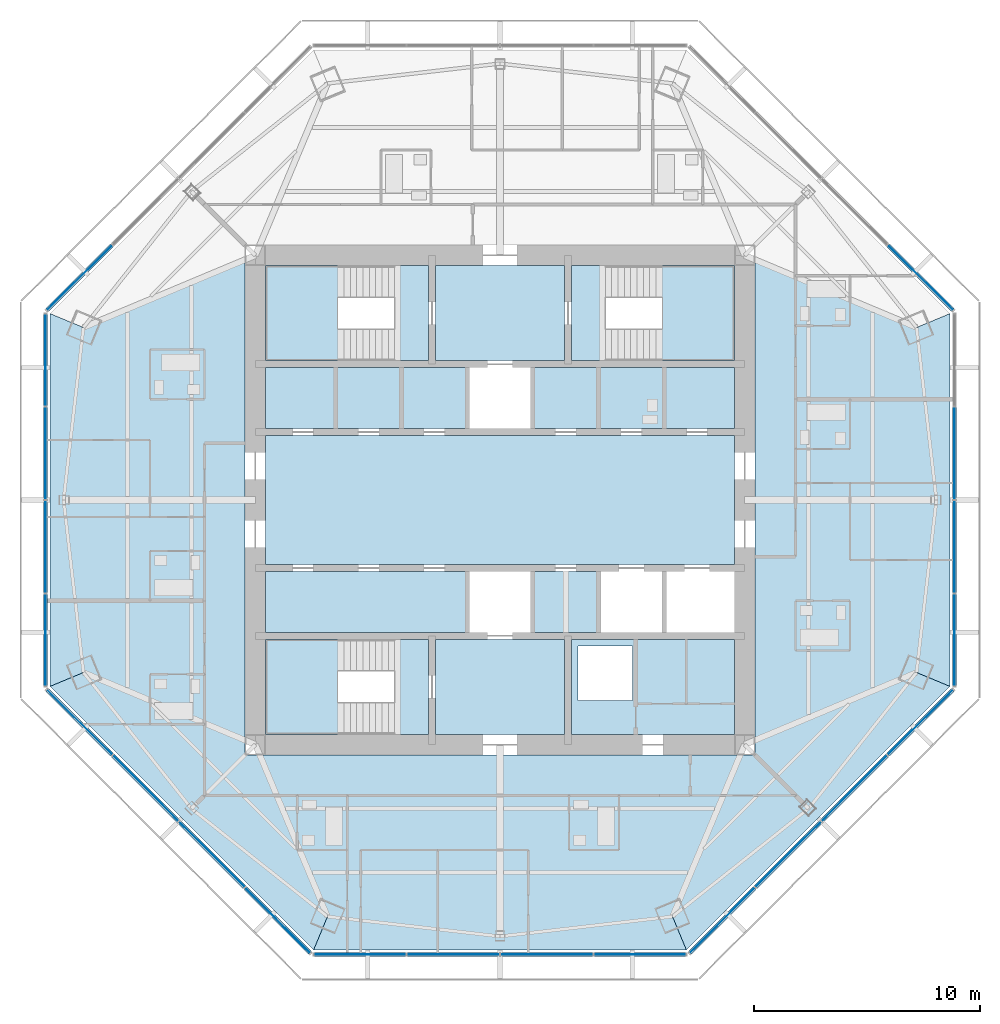
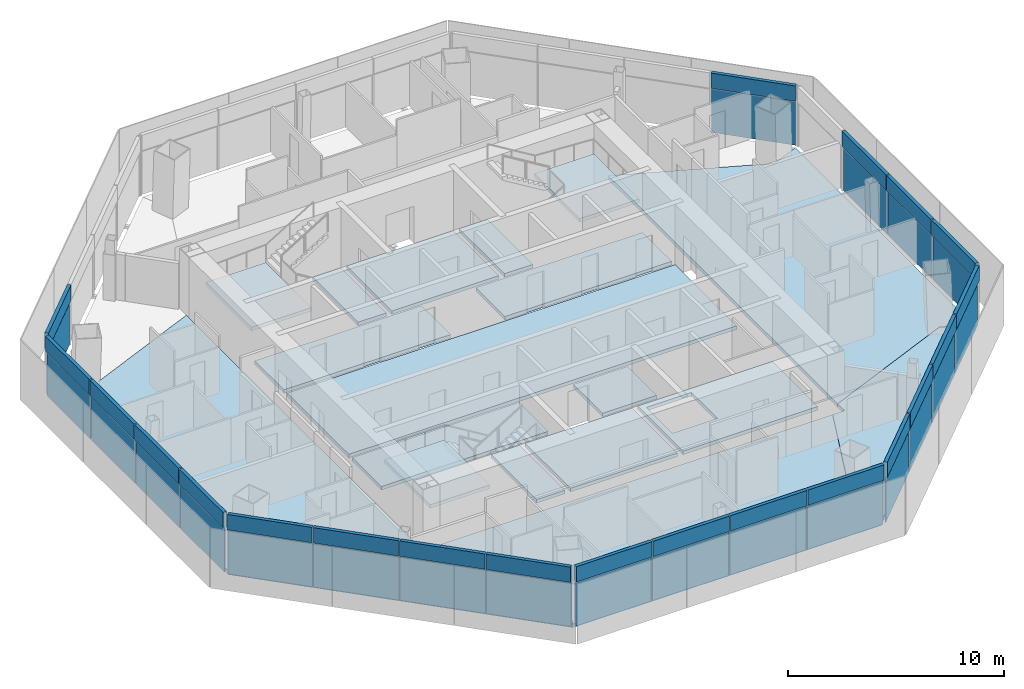
# One storey, part 8 of 15: 42 plates, 19 slabs, 10 elements without a shape of their own.
"""IFC4 building model written with IfcOpenShell, lengths in metres."""

from ifc_helpers import new_model, si_unit, direction, frame, origin, origin_2d, place, context, subcontext, project, spatial, polyline, rectangle, outline, extrude, source, transform, mapped, material, layer, layer_set, type_object, type_shapes, element, aggregate, save


model = new_model("IFC4")

# Units and contexts
model_context = context("Model", 3, precision=1e-05, world=origin(), true_north=direction((0.0, 1.0)))
body_context = subcontext(model_context, "Body", "Model", "MODEL_VIEW")
ifc_project = project(units=[si_unit("LENGTHUNIT", "METRE"), si_unit("AREAUNIT", "SQUARE_METRE"), si_unit("VOLUMEUNIT", "CUBIC_METRE"), si_unit("PLANEANGLEUNIT", "RADIAN"), si_unit("MASSUNIT", "GRAM", prefix="KILO")], contexts=[model_context])

# Site, building, storey
site_placement = place(None, origin())
site = spatial("IfcSite", under=ifc_project, at=site_placement, CompositionType="ELEMENT")
building_placement = place(site_placement, origin())
building = spatial("IfcBuilding", under=site, at=building_placement, Name="Mashrafa Tower", CompositionType="ELEMENT")
storey_placement = place(building_placement, frame((0.0, 0.0, 281.0)))
storey = spatial("IfcBuildingStorey", under=building, at=storey_placement, Name="L68", CompositionType="ELEMENT", Elevation=281.0)

# Slabs
ifc_material_1 = material(Name="Concrete C35/45", Category="concrete")
ifc_layer_1 = layer(ifc_material_1, 0.199951171875)
ifc_layer_set_1 = layer_set([ifc_layer_1], Name="Floor slab 200")
slab_type_1 = type_object("IfcSlabType", Name="Floor slab 200", PredefinedType="FLOOR", material=ifc_layer_set_1)
slab_1_placement = place(storey_placement, frame((0.0, 0.0, -0.199951171875)))
element("IfcSlab", 1, at=slab_1_placement, inside=storey, type_object=slab_type_1, Name="Floor slab L68 east bay", PredefinedType="FLOOR", context=body_context, shape_type="SweptSolid", body=[
    extrude(outline(polyline([(19.86572265625, 8.228515625), (19.86572265625, -8.228515625), (19.86572265625, -8.228515625), (18.39306640625, -7.61865234375), (11.25, -10.611572265625), (11.25, 10.611572265625), (18.39306640625, 7.61865234375), (19.86572265625, 8.228515625), (19.86572265625, 8.228515625)])), origin(), (0.0, 0.0, 1.0), 0.199951171875),
])
slab_2_placement = place(storey_placement, frame((0.0, 0.0, -0.199951171875)))
element("IfcSlab", 2, at=slab_2_placement, inside=storey, type_object=slab_type_1, Name="Floor slab L68 west bay", PredefinedType="FLOOR", context=body_context, shape_type="SweptSolid", body=[
    extrude(outline(polyline([(-19.86572265625, -8.228515625), (-19.86572265625, 8.228515625), (-19.86572265625, 8.228515625), (-18.39306640625, 7.61865234375), (-11.25, 10.611572265625), (-11.25, -10.611572265625), (-18.39306640625, -7.61865234375), (-19.86572265625, -8.228515625), (-19.86572265625, -8.228515625)])), origin(), (0.0, 0.0, 1.0), 0.199951171875),
])
slab_3_placement = place(storey_placement, frame((0.0, 0.0, -0.199951171875)))
element("IfcSlab", 3, at=slab_3_placement, inside=storey, type_object=slab_type_1, Name="Floor slab L68 south-west bay", PredefinedType="FLOOR", context=body_context, shape_type="SweptSolid", body=[
    extrude(outline(polyline([(-19.86572265625, -8.228515625), (-18.39306640625, -7.61865234375), (-11.25, -10.611572265625), (-11.25, -11.25), (-10.611572265625, -11.25), (-7.61865234375, -18.39306640625), (-8.228515625, -19.86572265625), (-19.86572265625, -8.228515625)])), origin(), (0.0, 0.0, 1.0), 0.199951171875),
])
slab_4_placement = place(storey_placement, frame((0.0, 0.0, -0.199951171875)))
element("IfcSlab", 4, at=slab_4_placement, inside=storey, type_object=slab_type_1, Name="Floor slab L68 south bay", PredefinedType="FLOOR", context=body_context, shape_type="SweptSolid", body=[
    extrude(outline(polyline([(-8.228515625, -19.86572265625), (-8.228515625, -19.86572265625), (-7.61865234375, -18.39306640625), (-10.611572265625, -11.25), (10.611572265625, -11.25), (7.61865234375, -18.39306640625), (8.228515625, -19.86572265625), (8.228515625, -19.86572265625), (-8.228515625, -19.86572265625)])), origin(), (0.0, 0.0, 1.0), 0.199951171875),
])
slab_5_placement = place(storey_placement, frame((0.0, 0.0, -0.199951171875)))
element("IfcSlab", 5, at=slab_5_placement, inside=storey, type_object=slab_type_1, Name="Floor slab L68 south-east bay", PredefinedType="FLOOR", context=body_context, shape_type="SweptSolid", body=[
    extrude(outline(polyline([(8.228515625, -19.86572265625), (7.61865234375, -18.39306640625), (10.611572265625, -11.25), (11.25, -11.25), (11.25, -10.611572265625), (18.39306640625, -7.61865234375), (19.86572265625, -8.228515625), (8.228515625, -19.86572265625)])), origin(), (0.0, 0.0, 1.0), 0.199951171875),
])
slab_6_placement = place(storey_placement, frame((0.0, 0.0, -0.199951171875)))
element("IfcSlab", 6, at=slab_6_placement, inside=storey, type_object=slab_type_1, Name="Core floor lift hall L68", PredefinedType="FLOOR", context=body_context, shape_type="SweptSolid", body=[
    extrude(outline(polyline([(-10.35009765625, 2.85009765625), (10.35009765625, 2.85009765625), (10.35009765625, -2.85009765625), (-10.35009765625, -2.85009765625), (-10.35009765625, 2.85009765625)])), origin(), (0.0, 0.0, 1.0), 0.199951171875),
])
slab_7_placement = place(storey_placement, frame((0.0, 0.0, -0.199951171875)))
element("IfcSlab", 7, at=slab_7_placement, inside=storey, type_object=slab_type_1, Name="Core floor riser and electrical band L68", PredefinedType="FLOOR", context=body_context, shape_type="SweptSolid", body=[
    extrude(outline(polyline([(10.35009765625, -6.14990234375), (10.35009765625, -10.35009765625), (3.14990234375, -10.35009765625), (3.14990234375, -6.14990234375), (10.35009765625, -6.14990234375)]), holes=[polyline([(3.449951171875, -8.85009765625), (5.85009765625, -8.85009765625), (5.85009765625, -6.449951171875), (3.449951171875, -6.449951171875), (3.449951171875, -8.85009765625)])]), origin(), (0.0, 0.0, 1.0), 0.199951171875),
])
slab_8_placement = place(storey_placement, frame((0.0, 0.0, -0.199951171875)))
element("IfcSlab", 8, at=slab_8_placement, inside=storey, type_object=slab_type_1, Name="Core floor lift cell L68", PredefinedType="FLOOR", context=body_context, shape_type="SweptSolid", body=[
    extrude(outline(polyline([(10.35009765625, 5.85009765625), (10.35009765625, 3.14990234375), (1.449951171875, 3.14990234375), (1.449951171875, 5.85009765625), (10.35009765625, 5.85009765625)])), origin(), (0.0, 0.0, 1.0), 0.199951171875),
])
slab_9_placement = place(storey_placement, frame((0.0, 0.0, -0.199951171875)))
element("IfcSlab", 9, at=slab_9_placement, inside=storey, type_object=slab_type_1, Name="Core floor lift cell L68", PredefinedType="FLOOR", context=body_context, shape_type="SweptSolid", body=[
    extrude(outline(polyline([(-1.449951171875, 3.14990234375), (-10.35009765625, 3.14990234375), (-10.35009765625, 5.85009765625), (-1.449951171875, 5.85009765625), (-1.449951171875, 3.14990234375)])), origin(), (0.0, 0.0, 1.0), 0.199951171875),
])
slab_10_placement = place(storey_placement, frame((0.0, 0.0, -0.199951171875)))
element("IfcSlab", 10, at=slab_10_placement, inside=storey, type_object=slab_type_1, Name="Core floor lift cell L68", PredefinedType="FLOOR", context=body_context, shape_type="SweptSolid", body=[
    extrude(outline(polyline([(-1.449951171875, -3.14990234375), (-1.449951171875, -5.85009765625), (-10.35009765625, -5.85009765625), (-10.35009765625, -3.14990234375), (-1.449951171875, -3.14990234375)])), origin(), (0.0, 0.0, 1.0), 0.199951171875),
])
slab_11_placement = place(storey_placement, frame((0.0, 0.0, -0.199951171875)))
element("IfcSlab", 11, at=slab_11_placement, inside=storey, type_object=slab_type_1, Name="Core floor fire-fighting lobby south L68", PredefinedType="FLOOR", context=body_context, shape_type="SweptSolid", body=[
    extrude(outline(polyline([(2.85009765625, -6.14990234375), (2.85009765625, -10.35009765625), (-2.85009765625, -10.35009765625), (-2.85009765625, -6.14990234375), (2.85009765625, -6.14990234375)])), origin(), (0.0, 0.0, 1.0), 0.199951171875),
])
slab_12_placement = place(storey_placement, frame((0.0, 0.0, -0.199951171875)))
element("IfcSlab", 12, at=slab_12_placement, inside=storey, type_object=slab_type_1, Name="Core floor fire-fighting lobby north L68", PredefinedType="FLOOR", context=body_context, shape_type="SweptSolid", body=[
    extrude(outline(polyline([(-2.85009765625, 10.35009765625), (2.85009765625, 10.35009765625), (2.85009765625, 6.14990234375), (-2.85009765625, 6.14990234375), (-2.85009765625, 10.35009765625)])), origin(), (0.0, 0.0, 1.0), 0.199951171875),
])
slab_13_placement = place(storey_placement, frame((0.0, 0.0, -0.199951171875)))
element("IfcSlab", 13, at=slab_13_placement, inside=storey, type_object=slab_type_1, Name="Core floor lift cell L68", PredefinedType="FLOOR", context=body_context, shape_type="SweptSolid", body=[
    extrude(outline(polyline([(4.35009765625, -3.14990234375), (4.35009765625, -5.85009765625), (1.449951171875, -5.85009765625), (1.449951171875, -3.14990234375), (4.35009765625, -3.14990234375)])), origin(), (0.0, 0.0, 1.0), 0.199951171875),
])

# Stair, slabs
ifc_material_2 = material(Name="Exit stair 1400")
stair_type = type_object("IfcStairType", Name="Exit stair 1400", PredefinedType="HALF_TURN_STAIR", material=ifc_material_2)
stair_1_placement = place(storey_placement, origin())
stair_1 = element("IfcStair", 14, at=stair_1_placement, inside=storey, type_object=stair_type, Name="Stair S1 L68", PredefinedType="HALF_TURN_STAIR")
ifc_material_3 = material(Name="Concrete C32/40", Category="concrete")
ifc_layer_2 = layer(ifc_material_3, 0.199951171875)
ifc_layer_set_2 = layer_set([ifc_layer_2], Name="Stair landing 200")
slab_type_2 = type_object("IfcSlabType", Name="Stair landing 200", PredefinedType="LANDING", material=ifc_layer_set_2)
slab_14_placement = place(storey_placement, frame((0.0, 0.0, -0.199951171875)))
slab_14 = element("IfcSlab", 15, at=slab_14_placement, type_object=slab_type_2, Name="S1 landing 1", PredefinedType="LANDING", context=body_context, shape_type="SweptSolid", body=[
    extrude(outline(polyline([(-4.659912109375, 6.14990234375), (-3.14990234375, 6.14990234375), (-3.14990234375, 10.35009765625), (-4.659912109375, 10.35009765625), (-4.659912109375, 6.14990234375)])), origin(), (0.0, 0.0, 1.0), 0.199951171875),
])
slab_15_placement = place(storey_placement, frame((0.0, 0.0, 1.5)))
slab_15 = element("IfcSlab", 16, at=slab_15_placement, type_object=slab_type_2, Name="S1 landing 2", PredefinedType="LANDING", context=body_context, shape_type="SweptSolid", body=[
    extrude(outline(polyline([(-10.35009765625, 6.14990234375), (-7.159912109375, 6.14990234375), (-7.159912109375, 10.35009765625), (-10.35009765625, 10.35009765625), (-10.35009765625, 6.14990234375)])), origin(), (0.0, 0.0, 1.0), 0.199951171875),
])
aggregate(stair_1, [slab_14, slab_15])

stair_2_placement = place(storey_placement, origin())
stair_2 = element("IfcStair", 17, at=stair_2_placement, inside=storey, type_object=stair_type, Name="Stair S2 L68", PredefinedType="HALF_TURN_STAIR")
slab_16_placement = place(storey_placement, frame((0.0, 0.0, -0.199951171875)))
slab_16 = element("IfcSlab", 18, at=slab_16_placement, type_object=slab_type_2, Name="S2 landing 1", PredefinedType="LANDING", context=body_context, shape_type="SweptSolid", body=[
    extrude(outline(polyline([(3.14990234375, 6.14990234375), (4.659912109375, 6.14990234375), (4.659912109375, 10.35009765625), (3.14990234375, 10.35009765625), (3.14990234375, 6.14990234375)])), origin(), (0.0, 0.0, 1.0), 0.199951171875),
])
slab_17_placement = place(storey_placement, frame((0.0, 0.0, 1.5)))
slab_17 = element("IfcSlab", 19, at=slab_17_placement, type_object=slab_type_2, Name="S2 landing 2", PredefinedType="LANDING", context=body_context, shape_type="SweptSolid", body=[
    extrude(outline(polyline([(7.159912109375, 6.14990234375), (10.35009765625, 6.14990234375), (10.35009765625, 10.35009765625), (7.159912109375, 10.35009765625), (7.159912109375, 6.14990234375)])), origin(), (0.0, 0.0, 1.0), 0.199951171875),
])
aggregate(stair_2, [slab_16, slab_17])

stair_3_placement = place(storey_placement, origin())
stair_3 = element("IfcStair", 20, at=stair_3_placement, inside=storey, type_object=stair_type, Name="Stair S3 L68", PredefinedType="HALF_TURN_STAIR")
slab_18_placement = place(storey_placement, frame((0.0, 0.0, -0.199951171875)))
slab_18 = element("IfcSlab", 21, at=slab_18_placement, type_object=slab_type_2, Name="S3 landing 1", PredefinedType="LANDING", context=body_context, shape_type="SweptSolid", body=[
    extrude(outline(polyline([(-4.659912109375, -10.35009765625), (-3.14990234375, -10.35009765625), (-3.14990234375, -6.14990234375), (-4.659912109375, -6.14990234375), (-4.659912109375, -10.35009765625)])), origin(), (0.0, 0.0, 1.0), 0.199951171875),
])
slab_19_placement = place(storey_placement, frame((0.0, 0.0, 1.5)))
slab_19 = element("IfcSlab", 22, at=slab_19_placement, type_object=slab_type_2, Name="S3 landing 2", PredefinedType="LANDING", context=body_context, shape_type="SweptSolid", body=[
    extrude(outline(polyline([(-10.35009765625, -10.35009765625), (-7.159912109375, -10.35009765625), (-7.159912109375, -6.14990234375), (-10.35009765625, -6.14990234375), (-10.35009765625, -10.35009765625)])), origin(), (0.0, 0.0, 1.0), 0.199951171875),
])
aggregate(stair_3, [slab_18, slab_19])

# Curtain wall, plate
ifc_material_4 = material(Name="Unitised aluminium curtain wall", Category="aluminium")
curtain_wall_type = type_object("IfcCurtainWallType", Name="Apartment curtain wall, zone 4 CW-D 160 deep", PredefinedType="NOTDEFINED", material=ifc_material_4)
curtain_wall_1_placement = place(storey_placement, origin())
curtain_wall_1 = element("IfcCurtainWall", 23, at=curtain_wall_1_placement, inside=storey, type_object=curtain_wall_type, Name="Apartment curtain wall, zone 4 L68 east", PredefinedType="NOTDEFINED")
ifc_material_5 = material(Name="Insulated double glazing, acoustic", Category="glass")
ifc_layer_3 = layer(ifc_material_5, 0.028076171875)
ifc_layer_set_3 = layer_set([ifc_layer_3], Name="Vision panel CW-D 28")
plate_type_1 = type_object("IfcPlateType", Name="Vision panel CW-D 28", PredefinedType="CURTAIN_PANEL", material=ifc_layer_set_3)
shared_shape_1 = source(origin(), body_context, "Body", "SweptSolid", [
    extrude(rectangle(XDim=4.044189453125, YDim=0.028076171875, at=origin_2d()), origin(), (0.0, 0.0, 1.0), 2.46240234375),
])
plate_1_placement = place(storey_placement, frame((20.065673828125, -6.186279296875, 0.0), z_axis=(0.0, 0.0, 1.0), x_axis=(0.0, 1.0, 0.0)))
plate_1 = element("IfcPlate", 24, at=plate_1_placement, type_object=plate_type_1, Name="CW-D vision panel 1", PredefinedType="CURTAIN_PANEL", context=body_context, shape_type="MappedRepresentation", body=[
    mapped(shared_shape_1, transform((0.0, 0.0, 0.0))),
])

curtain_wall_2_placement = place(storey_placement, origin())
curtain_wall_2 = element("IfcCurtainWall", 25, at=curtain_wall_2_placement, inside=storey, type_object=curtain_wall_type, Name="Apartment curtain wall, zone 4 L68 north-east", PredefinedType="NOTDEFINED")
plate_2_placement = place(storey_placement, frame((18.56298828125, 9.814208984375, 0.0), z_axis=(0.0, 0.0, 1.0), x_axis=(-0.707106781187, 0.707106781187, 0.0)))
plate_2 = element("IfcPlate", 26, at=plate_2_placement, type_object=plate_type_1, Name="CW-D vision panel 1", PredefinedType="CURTAIN_PANEL", context=body_context, shape_type="MappedRepresentation", body=[
    mapped(shared_shape_1, transform((0.0, 0.0, 0.0))),
])

curtain_wall_3_placement = place(storey_placement, origin())
curtain_wall_3 = element("IfcCurtainWall", 27, at=curtain_wall_3_placement, inside=storey, type_object=curtain_wall_type, Name="Apartment curtain wall, zone 4 L68 north-west", PredefinedType="NOTDEFINED")
plate_3_placement = place(storey_placement, frame((-18.56298828125, 9.814208984375, 0.0), z_axis=(0.0, 0.0, 1.0), x_axis=(-0.707106781187, -0.707106781187, 0.0)))
plate_3 = element("IfcPlate", 28, at=plate_3_placement, type_object=plate_type_1, Name="CW-D vision panel 4", PredefinedType="CURTAIN_PANEL", context=body_context, shape_type="MappedRepresentation", body=[
    mapped(shared_shape_1, transform((0.0, 0.0, 0.0))),
])

# Curtain wall, plates
curtain_wall_4_placement = place(storey_placement, origin())
curtain_wall_4 = element("IfcCurtainWall", 29, at=curtain_wall_4_placement, inside=storey, type_object=curtain_wall_type, Name="Apartment curtain wall, zone 4 L68 west", PredefinedType="NOTDEFINED")
plate_4_placement = place(storey_placement, frame((-20.065673828125, 6.186279296875, 0.0), z_axis=(0.0, 0.0, 1.0), x_axis=(0.0, -1.0, 0.0)))
plate_4 = element("IfcPlate", 30, at=plate_4_placement, type_object=plate_type_1, Name="CW-D vision panel 1", PredefinedType="CURTAIN_PANEL", context=body_context, shape_type="MappedRepresentation", body=[
    mapped(shared_shape_1, transform((0.0, 0.0, 0.0))),
])
plate_5_placement = place(storey_placement, frame((-20.065673828125, -6.186279296875, 0.0), z_axis=(0.0, 0.0, 1.0), x_axis=(0.0, -1.0, 0.0)))
plate_5 = element("IfcPlate", 31, at=plate_5_placement, type_object=plate_type_1, Name="CW-D vision panel 4", PredefinedType="CURTAIN_PANEL", context=body_context, shape_type="MappedRepresentation", body=[
    mapped(shared_shape_1, transform((0.0, 0.0, 0.0))),
])

curtain_wall_5_placement = place(storey_placement, origin())
curtain_wall_5 = element("IfcCurtainWall", 32, at=curtain_wall_5_placement, inside=storey, type_object=curtain_wall_type, Name="Apartment curtain wall, zone 4 L68 south-west", PredefinedType="NOTDEFINED")
plate_6_placement = place(storey_placement, frame((-18.56298828125, -9.814208984375, 0.0), z_axis=(0.0, 0.0, 1.0), x_axis=(0.707106781187, -0.707106781187, 0.0)))
plate_6 = element("IfcPlate", 33, at=plate_6_placement, type_object=plate_type_1, Name="CW-D vision panel 1", PredefinedType="CURTAIN_PANEL", context=body_context, shape_type="MappedRepresentation", body=[
    mapped(shared_shape_1, transform((0.0, 0.0, 0.0))),
])
plate_7_placement = place(storey_placement, frame((-9.814208984375, -18.56298828125, 0.0), z_axis=(0.0, 0.0, 1.0), x_axis=(0.707106781187, -0.707106781187, 0.0)))
plate_7 = element("IfcPlate", 34, at=plate_7_placement, type_object=plate_type_1, Name="CW-D vision panel 4", PredefinedType="CURTAIN_PANEL", context=body_context, shape_type="MappedRepresentation", body=[
    mapped(shared_shape_1, transform((0.0, 0.0, 0.0))),
])

curtain_wall_6_placement = place(storey_placement, origin())
curtain_wall_6 = element("IfcCurtainWall", 35, at=curtain_wall_6_placement, inside=storey, type_object=curtain_wall_type, Name="Apartment curtain wall, zone 4 L68 south", PredefinedType="NOTDEFINED")
plate_8_placement = place(storey_placement, frame((-6.186279296875, -20.065673828125, 0.0), z_axis=(0.0, 0.0, 1.0), x_axis=(1.0, 0.0, 0.0)))
plate_8 = element("IfcPlate", 36, at=plate_8_placement, type_object=plate_type_1, Name="CW-D vision panel 1", PredefinedType="CURTAIN_PANEL", context=body_context, shape_type="MappedRepresentation", body=[
    mapped(shared_shape_1, transform((0.0, 0.0, 0.0))),
])
plate_9_placement = place(storey_placement, frame((6.186279296875, -20.065673828125, 0.0), z_axis=(0.0, 0.0, 1.0), x_axis=(1.0, 0.0, 0.0)))
plate_9 = element("IfcPlate", 37, at=plate_9_placement, type_object=plate_type_1, Name="CW-D vision panel 4", PredefinedType="CURTAIN_PANEL", context=body_context, shape_type="MappedRepresentation", body=[
    mapped(shared_shape_1, transform((0.0, 0.0, 0.0))),
])

curtain_wall_7_placement = place(storey_placement, origin())
curtain_wall_7 = element("IfcCurtainWall", 38, at=curtain_wall_7_placement, inside=storey, type_object=curtain_wall_type, Name="Apartment curtain wall, zone 4 L68 south-east", PredefinedType="NOTDEFINED")
plate_10_placement = place(storey_placement, frame((9.814208984375, -18.56298828125, 0.0), z_axis=(0.0, 0.0, 1.0), x_axis=(0.707106781187, 0.707106781187, 0.0)))
plate_10 = element("IfcPlate", 39, at=plate_10_placement, type_object=plate_type_1, Name="CW-D vision panel 1", PredefinedType="CURTAIN_PANEL", context=body_context, shape_type="MappedRepresentation", body=[
    mapped(shared_shape_1, transform((0.0, 0.0, 0.0))),
])
plate_11_placement = place(storey_placement, frame((18.56298828125, -9.814208984375, 0.0), z_axis=(0.0, 0.0, 1.0), x_axis=(0.707106781187, 0.707106781187, 0.0)))
plate_11 = element("IfcPlate", 40, at=plate_11_placement, type_object=plate_type_1, Name="CW-D vision panel 4", PredefinedType="CURTAIN_PANEL", context=body_context, shape_type="MappedRepresentation", body=[
    mapped(shared_shape_1, transform((0.0, 0.0, 0.0))),
])

# Plate
ifc_material_6 = material(Name="Insulated bronze aluminium spandrel panel", Category="aluminium")
ifc_layer_4 = layer(ifc_material_6, 0.179931640625)
ifc_layer_set_4 = layer_set([ifc_layer_4], Name="Spandrel panel CW-D 180")
plate_type_2 = type_object("IfcPlateType", Name="Spandrel panel CW-D 180", PredefinedType="CURTAIN_PANEL", material=ifc_layer_set_4)
shared_shape_2 = source(origin(), body_context, "Body", "SweptSolid", [
    extrude(rectangle(XDim=4.044189453125, YDim=0.179931640625, at=origin_2d()), origin(), (0.0, 0.0, 1.0), 0.862548828125),
])
plate_12_placement = place(storey_placement, frame((20.065673828125, -6.186279296875, 2.53759765625), z_axis=(0.0, 0.0, 1.0), x_axis=(0.0, 1.0, 0.0)))
plate_12 = element("IfcPlate", 41, at=plate_12_placement, type_object=plate_type_2, Name="CW-D spandrel panel 1", PredefinedType="CURTAIN_PANEL", context=body_context, shape_type="MappedRepresentation", body=[
    mapped(shared_shape_2, transform((0.0, 0.0, 0.0))),
])

plate_13_placement = place(storey_placement, frame((18.56298828125, 9.814208984375, 2.53759765625), z_axis=(0.0, 0.0, 1.0), x_axis=(-0.707106781187, 0.707106781187, 0.0)))
plate_13 = element("IfcPlate", 42, at=plate_13_placement, type_object=plate_type_2, Name="CW-D spandrel panel 1", PredefinedType="CURTAIN_PANEL", context=body_context, shape_type="MappedRepresentation", body=[
    mapped(shared_shape_2, transform((0.0, 0.0, 0.0))),
])

aggregate(curtain_wall_2, [plate_2, plate_13])

plate_14_placement = place(storey_placement, frame((-18.56298828125, 9.814208984375, 2.53759765625), z_axis=(0.0, 0.0, 1.0), x_axis=(-0.707106781187, -0.707106781187, 0.0)))
plate_14 = element("IfcPlate", 43, at=plate_14_placement, type_object=plate_type_2, Name="CW-D spandrel panel 4", PredefinedType="CURTAIN_PANEL", context=body_context, shape_type="MappedRepresentation", body=[
    mapped(shared_shape_2, transform((0.0, 0.0, 0.0))),
])

aggregate(curtain_wall_3, [plate_3, plate_14])

plate_15_placement = place(storey_placement, frame((-20.065673828125, 6.186279296875, 2.53759765625), z_axis=(0.0, 0.0, 1.0), x_axis=(0.0, -1.0, 0.0)))
plate_15 = element("IfcPlate", 44, at=plate_15_placement, type_object=plate_type_2, Name="CW-D spandrel panel 1", PredefinedType="CURTAIN_PANEL", context=body_context, shape_type="MappedRepresentation", body=[
    mapped(shared_shape_2, transform((0.0, 0.0, 0.0))),
])

plate_16_placement = place(storey_placement, frame((-20.065673828125, -6.186279296875, 2.53759765625), z_axis=(0.0, 0.0, 1.0), x_axis=(0.0, -1.0, 0.0)))
plate_16 = element("IfcPlate", 45, at=plate_16_placement, type_object=plate_type_2, Name="CW-D spandrel panel 4", PredefinedType="CURTAIN_PANEL", context=body_context, shape_type="MappedRepresentation", body=[
    mapped(shared_shape_2, transform((0.0, 0.0, 0.0))),
])

plate_17_placement = place(storey_placement, frame((-18.56298828125, -9.814208984375, 2.53759765625), z_axis=(0.0, 0.0, 1.0), x_axis=(0.707106781187, -0.707106781187, 0.0)))
plate_17 = element("IfcPlate", 46, at=plate_17_placement, type_object=plate_type_2, Name="CW-D spandrel panel 1", PredefinedType="CURTAIN_PANEL", context=body_context, shape_type="MappedRepresentation", body=[
    mapped(shared_shape_2, transform((0.0, 0.0, 0.0))),
])

plate_18_placement = place(storey_placement, frame((-9.814208984375, -18.56298828125, 2.53759765625), z_axis=(0.0, 0.0, 1.0), x_axis=(0.707106781187, -0.707106781187, 0.0)))
plate_18 = element("IfcPlate", 47, at=plate_18_placement, type_object=plate_type_2, Name="CW-D spandrel panel 4", PredefinedType="CURTAIN_PANEL", context=body_context, shape_type="MappedRepresentation", body=[
    mapped(shared_shape_2, transform((0.0, 0.0, 0.0))),
])

plate_19_placement = place(storey_placement, frame((-6.186279296875, -20.065673828125, 2.53759765625), z_axis=(0.0, 0.0, 1.0), x_axis=(1.0, 0.0, 0.0)))
plate_19 = element("IfcPlate", 48, at=plate_19_placement, type_object=plate_type_2, Name="CW-D spandrel panel 1", PredefinedType="CURTAIN_PANEL", context=body_context, shape_type="MappedRepresentation", body=[
    mapped(shared_shape_2, transform((0.0, 0.0, 0.0))),
])

plate_20_placement = place(storey_placement, frame((6.186279296875, -20.065673828125, 2.53759765625), z_axis=(0.0, 0.0, 1.0), x_axis=(1.0, 0.0, 0.0)))
plate_20 = element("IfcPlate", 49, at=plate_20_placement, type_object=plate_type_2, Name="CW-D spandrel panel 4", PredefinedType="CURTAIN_PANEL", context=body_context, shape_type="MappedRepresentation", body=[
    mapped(shared_shape_2, transform((0.0, 0.0, 0.0))),
])

plate_21_placement = place(storey_placement, frame((9.814208984375, -18.56298828125, 2.53759765625), z_axis=(0.0, 0.0, 1.0), x_axis=(0.707106781187, 0.707106781187, 0.0)))
plate_21 = element("IfcPlate", 50, at=plate_21_placement, type_object=plate_type_2, Name="CW-D spandrel panel 1", PredefinedType="CURTAIN_PANEL", context=body_context, shape_type="MappedRepresentation", body=[
    mapped(shared_shape_2, transform((0.0, 0.0, 0.0))),
])

plate_22_placement = place(storey_placement, frame((18.56298828125, -9.814208984375, 2.53759765625), z_axis=(0.0, 0.0, 1.0), x_axis=(0.707106781187, 0.707106781187, 0.0)))
plate_22 = element("IfcPlate", 51, at=plate_22_placement, type_object=plate_type_2, Name="CW-D spandrel panel 4", PredefinedType="CURTAIN_PANEL", context=body_context, shape_type="MappedRepresentation", body=[
    mapped(shared_shape_2, transform((0.0, 0.0, 0.0))),
])

shared_shape_3 = source(origin(), body_context, "Body", "SweptSolid", [
    extrude(rectangle(XDim=4.07421875, YDim=0.028076171875, at=origin_2d()), origin(), (0.0, 0.0, 1.0), 2.46240234375),
])
type_shapes(plate_type_1, [shared_shape_1, shared_shape_3])
plate_23_placement = place(storey_placement, frame((20.065673828125, -2.067138671875, 0.0), z_axis=(0.0, 0.0, 1.0), x_axis=(0.0, 1.0, 0.0)))
plate_23 = element("IfcPlate", 52, at=plate_23_placement, type_object=plate_type_1, Name="CW-D vision panel 2", PredefinedType="CURTAIN_PANEL", context=body_context, shape_type="MappedRepresentation", body=[
    mapped(shared_shape_3, transform((0.0, 0.0, 0.0))),
])

plate_24_placement = place(storey_placement, frame((20.065673828125, 2.067138671875, 0.0), z_axis=(0.0, 0.0, 1.0), x_axis=(0.0, 1.0, 0.0)))
plate_24 = element("IfcPlate", 53, at=plate_24_placement, type_object=plate_type_1, Name="CW-D vision panel 3", PredefinedType="CURTAIN_PANEL", context=body_context, shape_type="MappedRepresentation", body=[
    mapped(shared_shape_3, transform((0.0, 0.0, 0.0))),
])

plate_25_placement = place(storey_placement, frame((-20.065673828125, 2.067138671875, 0.0), z_axis=(0.0, 0.0, 1.0), x_axis=(0.0, -1.0, 0.0)))
plate_25 = element("IfcPlate", 54, at=plate_25_placement, type_object=plate_type_1, Name="CW-D vision panel 2", PredefinedType="CURTAIN_PANEL", context=body_context, shape_type="MappedRepresentation", body=[
    mapped(shared_shape_3, transform((0.0, 0.0, 0.0))),
])

plate_26_placement = place(storey_placement, frame((-20.065673828125, -2.067138671875, 0.0), z_axis=(0.0, 0.0, 1.0), x_axis=(0.0, -1.0, 0.0)))
plate_26 = element("IfcPlate", 55, at=plate_26_placement, type_object=plate_type_1, Name="CW-D vision panel 3", PredefinedType="CURTAIN_PANEL", context=body_context, shape_type="MappedRepresentation", body=[
    mapped(shared_shape_3, transform((0.0, 0.0, 0.0))),
])

plate_27_placement = place(storey_placement, frame((-15.650146484375, -12.726806640625, 0.0), z_axis=(0.0, 0.0, 1.0), x_axis=(0.707106781187, -0.707106781187, 0.0)))
plate_27 = element("IfcPlate", 56, at=plate_27_placement, type_object=plate_type_1, Name="CW-D vision panel 2", PredefinedType="CURTAIN_PANEL", context=body_context, shape_type="MappedRepresentation", body=[
    mapped(shared_shape_3, transform((0.0, 0.0, 0.0))),
])

plate_28_placement = place(storey_placement, frame((-12.726806640625, -15.650146484375, 0.0), z_axis=(0.0, 0.0, 1.0), x_axis=(0.707106781187, -0.707106781187, 0.0)))
plate_28 = element("IfcPlate", 57, at=plate_28_placement, type_object=plate_type_1, Name="CW-D vision panel 3", PredefinedType="CURTAIN_PANEL", context=body_context, shape_type="MappedRepresentation", body=[
    mapped(shared_shape_3, transform((0.0, 0.0, 0.0))),
])

plate_29_placement = place(storey_placement, frame((-2.067138671875, -20.065673828125, 0.0), z_axis=(0.0, 0.0, 1.0), x_axis=(1.0, 0.0, 0.0)))
plate_29 = element("IfcPlate", 58, at=plate_29_placement, type_object=plate_type_1, Name="CW-D vision panel 2", PredefinedType="CURTAIN_PANEL", context=body_context, shape_type="MappedRepresentation", body=[
    mapped(shared_shape_3, transform((0.0, 0.0, 0.0))),
])

plate_30_placement = place(storey_placement, frame((2.067138671875, -20.065673828125, 0.0), z_axis=(0.0, 0.0, 1.0), x_axis=(1.0, 0.0, 0.0)))
plate_30 = element("IfcPlate", 59, at=plate_30_placement, type_object=plate_type_1, Name="CW-D vision panel 3", PredefinedType="CURTAIN_PANEL", context=body_context, shape_type="MappedRepresentation", body=[
    mapped(shared_shape_3, transform((0.0, 0.0, 0.0))),
])

plate_31_placement = place(storey_placement, frame((12.726806640625, -15.650146484375, 0.0), z_axis=(0.0, 0.0, 1.0), x_axis=(0.707106781187, 0.707106781187, 0.0)))
plate_31 = element("IfcPlate", 60, at=plate_31_placement, type_object=plate_type_1, Name="CW-D vision panel 2", PredefinedType="CURTAIN_PANEL", context=body_context, shape_type="MappedRepresentation", body=[
    mapped(shared_shape_3, transform((0.0, 0.0, 0.0))),
])

plate_32_placement = place(storey_placement, frame((15.650146484375, -12.726806640625, 0.0), z_axis=(0.0, 0.0, 1.0), x_axis=(0.707106781187, 0.707106781187, 0.0)))
plate_32 = element("IfcPlate", 61, at=plate_32_placement, type_object=plate_type_1, Name="CW-D vision panel 3", PredefinedType="CURTAIN_PANEL", context=body_context, shape_type="MappedRepresentation", body=[
    mapped(shared_shape_3, transform((0.0, 0.0, 0.0))),
])

shared_shape_4 = source(origin(), body_context, "Body", "SweptSolid", [
    extrude(rectangle(XDim=4.07421875, YDim=0.179931640625, at=origin_2d()), origin(), (0.0, 0.0, 1.0), 0.862548828125),
])
type_shapes(plate_type_2, [shared_shape_2, shared_shape_4])
plate_33_placement = place(storey_placement, frame((20.065673828125, -2.067138671875, 2.53759765625), z_axis=(0.0, 0.0, 1.0), x_axis=(0.0, 1.0, 0.0)))
plate_33 = element("IfcPlate", 62, at=plate_33_placement, type_object=plate_type_2, Name="CW-D spandrel panel 2", PredefinedType="CURTAIN_PANEL", context=body_context, shape_type="MappedRepresentation", body=[
    mapped(shared_shape_4, transform((0.0, 0.0, 0.0))),
])

plate_34_placement = place(storey_placement, frame((20.065673828125, 2.067138671875, 2.53759765625), z_axis=(0.0, 0.0, 1.0), x_axis=(0.0, 1.0, 0.0)))
plate_34 = element("IfcPlate", 63, at=plate_34_placement, type_object=plate_type_2, Name="CW-D spandrel panel 3", PredefinedType="CURTAIN_PANEL", context=body_context, shape_type="MappedRepresentation", body=[
    mapped(shared_shape_4, transform((0.0, 0.0, 0.0))),
])

aggregate(curtain_wall_1, [plate_1, plate_12, plate_23, plate_33, plate_24, plate_34])

plate_35_placement = place(storey_placement, frame((-20.065673828125, 2.067138671875, 2.53759765625), z_axis=(0.0, 0.0, 1.0), x_axis=(0.0, -1.0, 0.0)))
plate_35 = element("IfcPlate", 64, at=plate_35_placement, type_object=plate_type_2, Name="CW-D spandrel panel 2", PredefinedType="CURTAIN_PANEL", context=body_context, shape_type="MappedRepresentation", body=[
    mapped(shared_shape_4, transform((0.0, 0.0, 0.0))),
])

plate_36_placement = place(storey_placement, frame((-20.065673828125, -2.067138671875, 2.53759765625), z_axis=(0.0, 0.0, 1.0), x_axis=(0.0, -1.0, 0.0)))
plate_36 = element("IfcPlate", 65, at=plate_36_placement, type_object=plate_type_2, Name="CW-D spandrel panel 3", PredefinedType="CURTAIN_PANEL", context=body_context, shape_type="MappedRepresentation", body=[
    mapped(shared_shape_4, transform((0.0, 0.0, 0.0))),
])

aggregate(curtain_wall_4, [plate_4, plate_15, plate_25, plate_35, plate_26, plate_36, plate_5, plate_16])

plate_37_placement = place(storey_placement, frame((-15.650146484375, -12.726806640625, 2.53759765625), z_axis=(0.0, 0.0, 1.0), x_axis=(0.707106781187, -0.707106781187, 0.0)))
plate_37 = element("IfcPlate", 66, at=plate_37_placement, type_object=plate_type_2, Name="CW-D spandrel panel 2", PredefinedType="CURTAIN_PANEL", context=body_context, shape_type="MappedRepresentation", body=[
    mapped(shared_shape_4, transform((0.0, 0.0, 0.0))),
])

plate_38_placement = place(storey_placement, frame((-12.726806640625, -15.650146484375, 2.53759765625), z_axis=(0.0, 0.0, 1.0), x_axis=(0.707106781187, -0.707106781187, 0.0)))
plate_38 = element("IfcPlate", 67, at=plate_38_placement, type_object=plate_type_2, Name="CW-D spandrel panel 3", PredefinedType="CURTAIN_PANEL", context=body_context, shape_type="MappedRepresentation", body=[
    mapped(shared_shape_4, transform((0.0, 0.0, 0.0))),
])

aggregate(curtain_wall_5, [plate_6, plate_17, plate_27, plate_37, plate_28, plate_38, plate_7, plate_18])

plate_39_placement = place(storey_placement, frame((-2.067138671875, -20.065673828125, 2.53759765625), z_axis=(0.0, 0.0, 1.0), x_axis=(1.0, 0.0, 0.0)))
plate_39 = element("IfcPlate", 68, at=plate_39_placement, type_object=plate_type_2, Name="CW-D spandrel panel 2", PredefinedType="CURTAIN_PANEL", context=body_context, shape_type="MappedRepresentation", body=[
    mapped(shared_shape_4, transform((0.0, 0.0, 0.0))),
])

plate_40_placement = place(storey_placement, frame((2.067138671875, -20.065673828125, 2.53759765625), z_axis=(0.0, 0.0, 1.0), x_axis=(1.0, 0.0, 0.0)))
plate_40 = element("IfcPlate", 69, at=plate_40_placement, type_object=plate_type_2, Name="CW-D spandrel panel 3", PredefinedType="CURTAIN_PANEL", context=body_context, shape_type="MappedRepresentation", body=[
    mapped(shared_shape_4, transform((0.0, 0.0, 0.0))),
])

aggregate(curtain_wall_6, [plate_8, plate_19, plate_29, plate_39, plate_30, plate_40, plate_9, plate_20])

plate_41_placement = place(storey_placement, frame((12.726806640625, -15.650146484375, 2.53759765625), z_axis=(0.0, 0.0, 1.0), x_axis=(0.707106781187, 0.707106781187, 0.0)))
plate_41 = element("IfcPlate", 70, at=plate_41_placement, type_object=plate_type_2, Name="CW-D spandrel panel 2", PredefinedType="CURTAIN_PANEL", context=body_context, shape_type="MappedRepresentation", body=[
    mapped(shared_shape_4, transform((0.0, 0.0, 0.0))),
])

plate_42_placement = place(storey_placement, frame((15.650146484375, -12.726806640625, 2.53759765625), z_axis=(0.0, 0.0, 1.0), x_axis=(0.707106781187, 0.707106781187, 0.0)))
plate_42 = element("IfcPlate", 71, at=plate_42_placement, type_object=plate_type_2, Name="CW-D spandrel panel 3", PredefinedType="CURTAIN_PANEL", context=body_context, shape_type="MappedRepresentation", body=[
    mapped(shared_shape_4, transform((0.0, 0.0, 0.0))),
])

aggregate(curtain_wall_7, [plate_10, plate_21, plate_31, plate_41, plate_32, plate_42, plate_11, plate_22])

save(model, "model.ifc")
